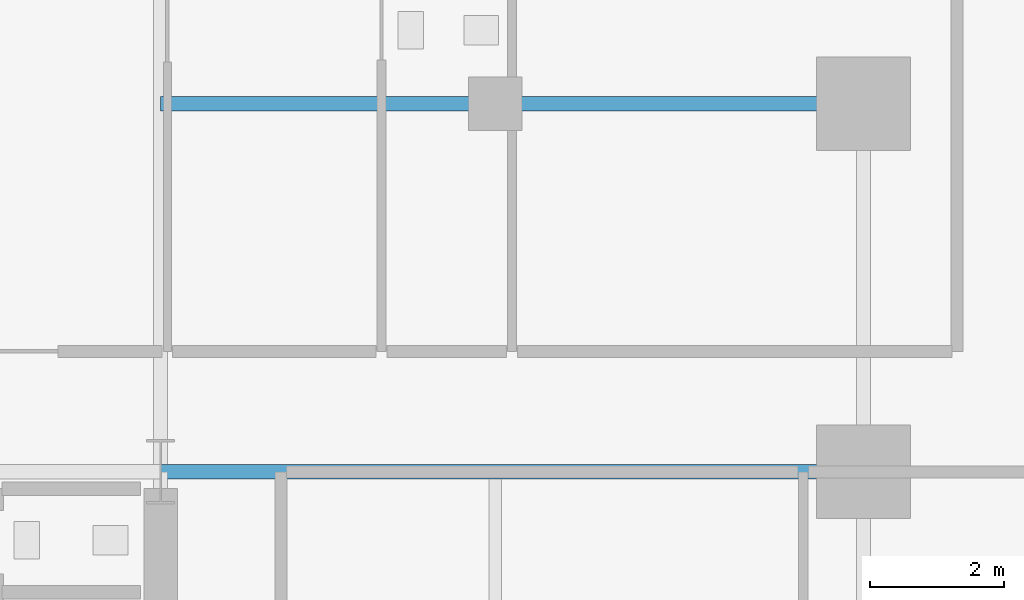
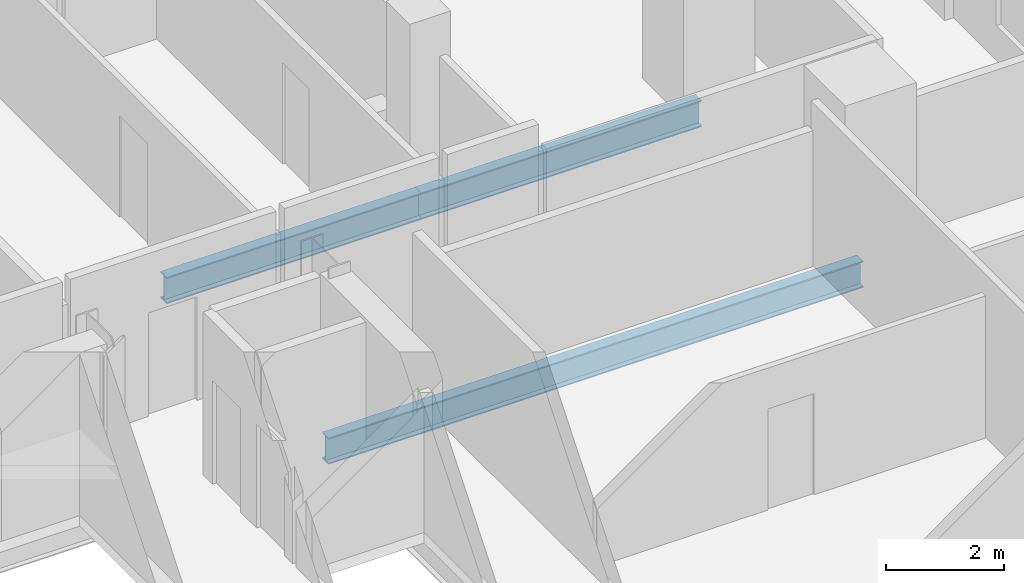
# One storey, part 18 of 27: 3 beams.
"""IFC4 building model written with IfcOpenShell, lengths in metres."""

import ifcopenshell
import ifcopenshell.guid

model = None  # the IFC model being written
_history = None  # IfcOwnerHistory: only IFC2X3 demands one
_inside = {}  # id of a spatial element -> (the spatial element, [elements in it])
_under = {}  # id of a project, library or spatial element -> (it, [spatial elements below it])
_declared = {}  # id of a project -> (the project, [libraries it declares])
_typed = {}  # id of a type object -> (the type object, [elements of that type])
_made_of = {}  # id of a material, layer set ... -> (it, [elements and type objects made of it])


def new_model(schema):
    """Start an empty IFC model of exactly this schema.

    Asked for "IFC4X3", IfcOpenShell would pick the latest addendum, in which some entities
    have other attributes; the version numbers below select the first issue.
    IFC2X3 requires an IfcOwnerHistory on every rooted entity: one is made here for all.
    """
    global model, _history
    if schema == "IFC4X3":
        model = ifcopenshell.file(schema_version=(4, 3, 0, 0))
    else:
        model = ifcopenshell.file(schema=schema)
    _inside.clear()
    _under.clear()
    _declared.clear()
    _typed.clear()
    _made_of.clear()
    _history = None
    if model.schema == "IFC2X3":
        org = make("IfcOrganization", Name="unknown")
        user = make(
            "IfcPersonAndOrganization",
            ThePerson=make("IfcPerson", FamilyName="unknown"),
            TheOrganization=org,
        )
        app = make(
            "IfcApplication",
            ApplicationDeveloper=org,
            Version="unknown",
            ApplicationFullName="unknown",
            ApplicationIdentifier="unknown",
        )
        _history = make(
            "IfcOwnerHistory",
            OwningUser=user,
            OwningApplication=app,
            ChangeAction="ADDED",
            CreationDate=0,
        )
    return model


def make(cls, **values):
    """One entity of the class cls with the attributes given. An attribute that is None is left unset."""
    return model.create_entity(
        cls, **{name: value for name, value in values.items() if value is not None}
    )


def rooted(cls, **values):
    """An entity with a GlobalId (a new one), such as an element, a storey or a relation."""
    return make(cls, GlobalId=ifcopenshell.guid.new(), OwnerHistory=_history, **values)


def si_unit(unit_type, name, prefix=None):
    """IfcSIUnit, for example si_unit("LENGTHUNIT", "METRE", prefix="MILLI")."""
    return make("IfcSIUnit", UnitType=unit_type, Prefix=prefix, Name=name)


def assignment(units):
    """IfcUnitAssignment: the units of a project."""
    return None if units is None else make("IfcUnitAssignment", Units=units)


def point(xyz):
    """IfcCartesianPoint."""
    return None if xyz is None else make("IfcCartesianPoint", Coordinates=xyz)


def direction(xyz):
    """IfcDirection."""
    return None if xyz is None else make("IfcDirection", DirectionRatios=xyz)


def frame(location, z_axis=None, x_axis=None):
    """IfcAxis2Placement3D, a coordinate frame: its origin and axes. An axis left out is left unset."""
    return make(
        "IfcAxis2Placement3D",
        Location=point(location),
        Axis=direction(z_axis),
        RefDirection=direction(x_axis),
    )


def frame_2d(location, x_axis=None):
    """IfcAxis2Placement2D, a coordinate frame in the plane: its origin and x axis."""
    return make(
        "IfcAxis2Placement2D", Location=point(location), RefDirection=direction(x_axis)
    )


def origin():
    """The frame at (0, 0, 0) with its axes left unset."""
    return frame((0.0, 0.0, 0.0))


def origin_2d():
    """The frame at (0, 0) in the plane with its x axis left unset."""
    return frame_2d((0.0, 0.0))


def place(relative_to, where):
    """IfcLocalPlacement: puts the frame where relative to a parent placement (None: the world)."""
    return make(
        "IfcLocalPlacement", PlacementRelTo=relative_to, RelativePlacement=where
    )


def context(
    kind, dimensions, precision=None, world=None, true_north=None, identifier=None
):
    """IfcGeometricRepresentationContext, for example the 3D "Model" context."""
    return make(
        "IfcGeometricRepresentationContext",
        ContextIdentifier=identifier,
        ContextType=kind,
        CoordinateSpaceDimension=dimensions,
        Precision=precision,
        WorldCoordinateSystem=world,
        TrueNorth=true_north,
    )


def subcontext(parent, identifier, kind, view, scale=None):
    """IfcGeometricRepresentationSubContext, for example "Body" below "Model"."""
    return make(
        "IfcGeometricRepresentationSubContext",
        ContextIdentifier=identifier,
        ContextType=kind,
        ParentContext=parent,
        TargetScale=scale,
        TargetView=view,
    )


def project(units=None, contexts=None):
    """IfcProject with its units and contexts."""
    return rooted(
        "IfcProject",
        Name="project",
        RepresentationContexts=contexts,
        UnitsInContext=assignment(units),
    )


def spatial(cls, under=None, at=None, **own):
    """A site, building, storey or space (cls), placed at a placement, below another one or the project."""
    s = rooted(cls, ObjectPlacement=at, **own)
    if under is not None:
        _under.setdefault(under.id(), (under, []))[1].append(s)
    return s


def profile(cls, at=None, kind="AREA", **sizes):
    """A parametric profile (cls). Its sizes go by their IFC names, for example OverallWidth=200.0."""
    return make(cls, ProfileType=kind, Position=at, **sizes)


def i_section(**sizes):
    """IfcIShapeProfileDef."""
    return profile("IfcIShapeProfileDef", **sizes)


def extrude(swept, where, along, depth):
    """IfcExtrudedAreaSolid: the profile swept, set in the frame where, extruded along a direction by depth."""
    return make(
        "IfcExtrudedAreaSolid",
        SweptArea=swept,
        Position=where,
        ExtrudedDirection=direction(along),
        Depth=depth,
    )


def shape(context_of_items, identifier, shape_type, items):
    """IfcShapeRepresentation: the items that make up one representation, for example the "Body"."""
    return make(
        "IfcShapeRepresentation",
        ContextOfItems=context_of_items,
        RepresentationIdentifier=identifier,
        RepresentationType=shape_type,
        Items=items,
    )


def material(Name=None, Category=None):
    """IfcMaterial."""
    return make("IfcMaterial", Name=Name, Category=Category)


def material_profile(
    of_material, cross_section, Name=None, Category=None, Priority=None
):
    """IfcMaterialProfile: a cross section and its material."""
    return make(
        "IfcMaterialProfile",
        Name=Name,
        Material=of_material,
        Profile=cross_section,
        Priority=Priority,
        Category=Category,
    )


def profile_set(profiles, Name=None, composite=None):
    """IfcMaterialProfileSet."""
    return make(
        "IfcMaterialProfileSet",
        Name=Name,
        MaterialProfiles=profiles,
        CompositeProfile=composite,
    )


def made_of(thing, what):
    """Note that an element or type object is made of a material, layer set ...; save() writes the relation."""
    if what is not None:
        _made_of.setdefault(what.id(), (what, []))[1].append(thing)
    return thing


def type_object(cls, material=None, **own):
    """A type object (cls), such as IfcWallType, which elements share."""
    return made_of(rooted(cls, **own), material)


def element(
    cls,
    number,
    at=None,
    inside=None,
    cuts=None,
    type_object=None,
    material=None,
    context=None,
    identifier="Body",
    shape_type=None,
    held_by="IfcProductDefinitionShape",
    body=None,
    shapes=None,
    **own,
):
    """One element of the class cls, such as IfcWall. Its Tag is "e" and its number.

    at: its placement. inside: the storey or other place that contains it. cuts: it is an
    opening in that element (IfcRelVoidsElement). A single representation is given by context,
    identifier, shape_type and body (its items); several are given by shapes. held_by: the class
    of the entity that holds the representations. save() writes the other relations.
    """
    e = rooted(cls, Tag="e%d" % number, ObjectPlacement=at, **own)
    if body is not None:
        shapes = [shape(context, identifier, shape_type, body)]
    if shapes is not None:
        e.Representation = make(held_by, Representations=shapes)
    if inside is not None:
        _inside.setdefault(inside.id(), (inside, []))[1].append(e)
    if cuts is not None:
        rooted(
            "IfcRelVoidsElement", RelatingBuildingElement=cuts, RelatedOpeningElement=e
        )
    if type_object is not None:
        _typed.setdefault(type_object.id(), (type_object, []))[1].append(e)
    return made_of(e, material)


def aggregate(whole, parts):
    """IfcRelAggregates: a whole, such as a stair, and the parts it consists of."""
    return rooted("IfcRelAggregates", RelatingObject=whole, RelatedObjects=parts)


def save(model, path):
    """Write the relations noted so far, then the file.

    IfcRelAggregates (storeys below a building ...), IfcRelContainedInSpatialStructure (elements
    in a storey), IfcRelDefinesByType, IfcRelAssociatesMaterial and IfcRelDeclares: one each for
    every whole, place, type object, material and project.
    """
    for whole, parts in _under.values():
        aggregate(whole, parts)
    for where, things in _inside.values():
        rooted(
            "IfcRelContainedInSpatialStructure",
            RelatedElements=things,
            RelatingStructure=where,
        )
    for kind, things in _typed.values():
        rooted("IfcRelDefinesByType", RelatedObjects=things, RelatingType=kind)
    for what, things in _made_of.values():
        rooted("IfcRelAssociatesMaterial", RelatedObjects=things, RelatingMaterial=what)
    for by, libraries in _declared.values():
        rooted("IfcRelDeclares", RelatingContext=by, RelatedDefinitions=libraries)
    model.write(path)


model = new_model("IFC4")

# Units and contexts
model_context = context("Model", 3, precision=1e-05, world=origin(), true_north=direction((0.0, 1.0)))
body_context = subcontext(model_context, "Body", "Model", "MODEL_VIEW")
ifc_project = project(units=[si_unit("LENGTHUNIT", "METRE"), si_unit("AREAUNIT", "SQUARE_METRE"), si_unit("VOLUMEUNIT", "CUBIC_METRE"), si_unit("PLANEANGLEUNIT", "RADIAN"), si_unit("MASSUNIT", "GRAM", prefix="KILO")], contexts=[model_context])

# Site, building, storey
site_placement = place(None, origin())
site = spatial("IfcSite", under=ifc_project, at=site_placement, CompositionType="ELEMENT")
building_placement = place(site_placement, origin())
building = spatial("IfcBuilding", under=site, at=building_placement, Name="Barlavira Tower and Art Museum", CompositionType="ELEMENT")
storey_placement = place(building_placement, frame((0.0, 0.0, 61.199951171875)))
storey = spatial("IfcBuildingStorey", under=building, at=storey_placement, Name="L14", CompositionType="ELEMENT", Elevation=61.199951171875)

# Beams
ifc_material = material(Name="Steel S355", Category="steel")
ifc_material_profile = material_profile(ifc_material, i_section(OverallWidth=0.214111328125, OverallDepth=0.549072265625, WebThickness=0.0146484375, FlangeThickness=0.023681640625, at=origin_2d()), Name="W530x138.0")
ifc_profile_set = profile_set([ifc_material_profile], Name="Steel S355")
beam_type = type_object("IfcBeamType", Name="Zone 1 Primary Floor Girder W530x138 Steel S355", PredefinedType="BEAM", material=ifc_profile_set)
beam_1_placement = place(storey_placement, frame((6.5, 7.5, -0.494384765625), z_axis=(1.0, 0.0, 0.0), x_axis=(0.0, 1.0, 0.0)))
element("IfcBeam", 1, at=beam_1_placement, inside=storey, type_object=beam_type, Name="L14 Girder R-E2", PredefinedType="BEAM", context=body_context, shape_type="SweptSolid", body=[
    extrude(i_section(OverallWidth=0.214111328125, OverallDepth=0.549072265625, WebThickness=0.0146484375, FlangeThickness=0.023681640625, at=origin_2d()), origin(), (0.0, 0.0, 1.0), 10.5),
])
beam_2_placement = place(storey_placement, frame((6.5, 13.0, -0.494384765625), z_axis=(1.0, 0.0, 0.0), x_axis=(0.0, 1.0, 0.0)))
element("IfcBeam", 2, at=beam_2_placement, inside=storey, type_object=beam_type, Name="L14 Girder I-N3", PredefinedType="BEAM", context=body_context, shape_type="SweptSolid", body=[
    extrude(i_section(OverallWidth=0.214111328125, OverallDepth=0.549072265625, WebThickness=0.0146484375, FlangeThickness=0.023681640625, at=origin_2d()), origin(), (0.0, 0.0, 1.0), 5.0),
])
beam_3_placement = place(storey_placement, frame((11.5, 13.0, -0.494384765625), z_axis=(1.0, 0.0, 0.0), x_axis=(0.0, 1.0, 0.0)))
element("IfcBeam", 3, at=beam_3_placement, inside=storey, type_object=beam_type, Name="L14 Girder I-N4", PredefinedType="BEAM", context=body_context, shape_type="SweptSolid", body=[
    extrude(i_section(OverallWidth=0.214111328125, OverallDepth=0.549072265625, WebThickness=0.0146484375, FlangeThickness=0.023681640625, at=origin_2d()), origin(), (0.0, 0.0, 1.0), 5.5),
])

save(model, "model.ifc")
